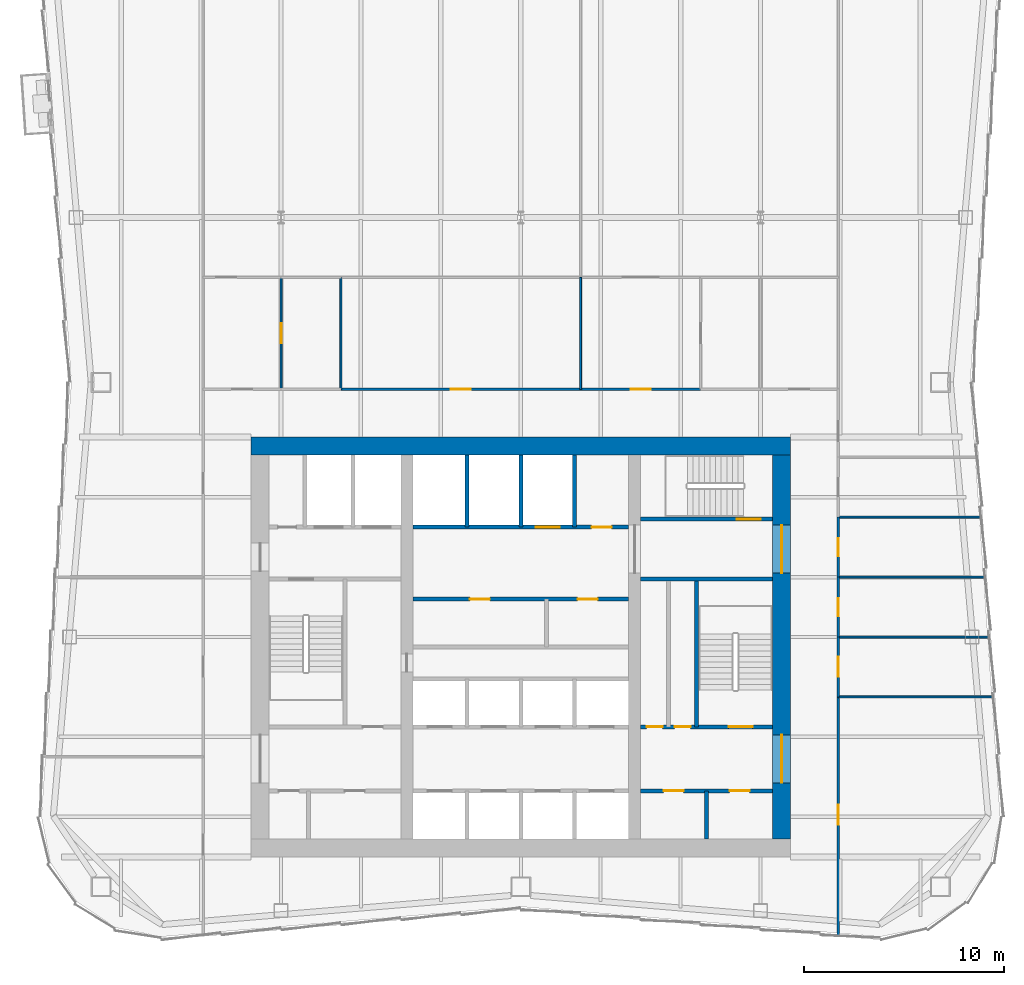
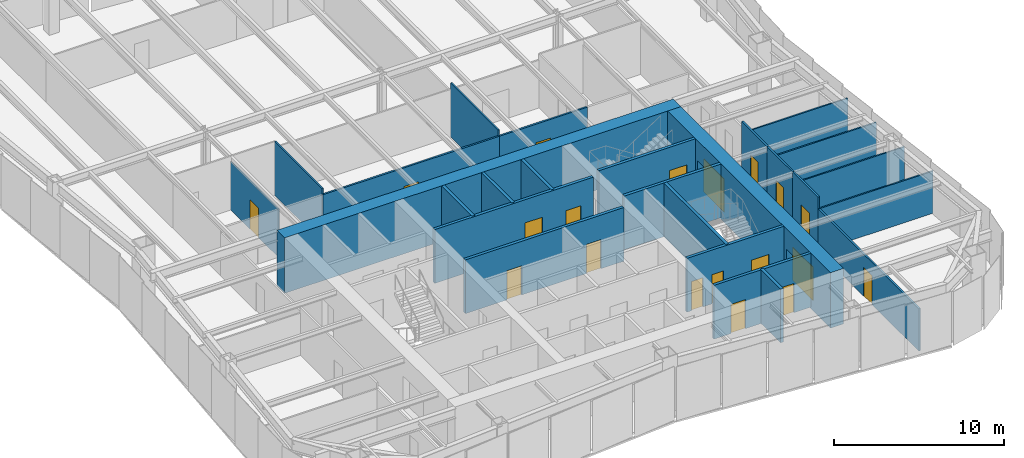
# One storey, part 6 of 10: 26 walls, 19 doors, 19 openings.
"""IFC4 building model written with IfcOpenShell, lengths in metres."""

from ifc_helpers import new_model, si_unit, direction, frame, frame_2d, origin, place, context, subcontext, project, spatial, rectangle, extrude, material, layer, layer_set, type_object, element, fill, save


model = new_model("IFC4")

# Units and contexts
model_context = context("Model", 3, precision=1e-05, world=origin(), true_north=direction((0.0, 1.0)))
body_context = subcontext(model_context, "Body", "Model", "MODEL_VIEW")
ifc_project = project(units=[si_unit("LENGTHUNIT", "METRE"), si_unit("AREAUNIT", "SQUARE_METRE"), si_unit("VOLUMEUNIT", "CUBIC_METRE"), si_unit("PLANEANGLEUNIT", "RADIAN"), si_unit("MASSUNIT", "GRAM", prefix="KILO")], contexts=[model_context])

# Site, building, storey
site_placement = place(None, origin())
site = spatial("IfcSite", under=ifc_project, at=site_placement, CompositionType="ELEMENT")
building_placement = place(site_placement, origin())
building = spatial("IfcBuilding", under=site, at=building_placement, Name="Verdant Reach Tower", CompositionType="ELEMENT")
storey_placement = place(building_placement, frame((0.0, 0.0, 214.0)))
storey = spatial("IfcBuildingStorey", under=building, at=storey_placement, Name="L49", CompositionType="ELEMENT", Elevation=214.0)

# Wall, openings, doors
ifc_material_1 = material(Name="Gypsum board on steel studs", Category="steel")
ifc_layer_1 = layer(ifc_material_1, 0.199951171875)
ifc_layer_set_1 = layer_set([ifc_layer_1], Name="CO-WALL-ROOM")
wall_type_1 = type_object("IfcWallType", Name="CO-WALL-ROOM", PredefinedType="PARTITIONING", material=ifc_layer_set_1)
wall_1_placement = place(storey_placement, frame((6.0, 20.800048828125, 0.0), z_axis=(0.0, 0.0, 1.0), x_axis=(1.0, 0.0, 0.0)))
wall_1 = element("IfcWall", 1, at=wall_1_placement, inside=storey, type_object=wall_type_1, Name="Core partition, L49", PredefinedType="PARTITIONING", context=body_context, shape_type="SweptSolid", body=[
    extrude(rectangle(XDim=6.60009765625, YDim=0.199951171875, at=frame_2d((3.300048828125, 0.0))), origin(), (0.0, 0.0, 1.0), 3.8701171875),
])
opening_1_placement = place(wall_1_placement, frame((1.14990234375, 0.0, 0.0)))
opening_1 = element("IfcOpeningElement", 2, at=opening_1_placement, cuts=wall_1, Name="Opening CD", PredefinedType="OPENING", context=body_context, shape_type="SweptSolid", body=[
    extrude(rectangle(XDim=1.0, YDim=2.10009765625, at=frame_2d((0.5, 1.050048828125))), frame((0.0, 0.10986328125, 0.0), z_axis=(0.0, -1.0, 0.0), x_axis=(1.0, 0.0, 0.0)), (0.0, 0.0, 1.0), 0.219970703125),
])
opening_2_placement = place(wall_1_placement, frame((4.449951171875, 0.0, 0.0)))
opening_2 = element("IfcOpeningElement", 3, at=opening_2_placement, cuts=wall_1, Name="Opening CD", PredefinedType="OPENING", context=body_context, shape_type="SweptSolid", body=[
    extrude(rectangle(XDim=1.0, YDim=2.10009765625, at=frame_2d((0.5, 1.050048828125))), frame((0.0, 0.10986328125, 0.0), z_axis=(0.0, -1.0, 0.0), x_axis=(1.0, 0.0, 0.0)), (0.0, 0.0, 1.0), 0.219970703125),
])
ifc_material_2 = material(Name="Timber", Category="wood")
door_type_1 = type_object("IfcDoorType", Name="CO-DOOR-ROOM", OperationType="NOTDEFINED", PredefinedType="DOOR", material=ifc_material_2)
door_1_placement = place(opening_1_placement, origin())
door_1 = element("IfcDoor", 4, at=door_1_placement, inside=storey, type_object=door_type_1, Name="Core room door, L49", OperationType="SINGLE_SWING_LEFT", OverallHeight=2.10009765625, OverallWidth=1.0, PredefinedType="DOOR", context=body_context, shape_type="SweptSolid", body=[
    extrude(rectangle(XDim=1.0, YDim=2.10009765625, at=frame_2d((0.5, 1.050048828125))), frame((0.0, 0.02490234375, 0.0), z_axis=(0.0, -1.0, 0.0), x_axis=(1.0, 0.0, 0.0)), (0.0, 0.0, 1.0), 0.050048828125),
])
fill(opening_1, door_1)
door_2_placement = place(opening_2_placement, origin())
door_2 = element("IfcDoor", 5, at=door_2_placement, inside=storey, type_object=door_type_1, Name="Core room door, L49", OperationType="SINGLE_SWING_LEFT", OverallHeight=2.10009765625, OverallWidth=1.0, PredefinedType="DOOR", context=body_context, shape_type="SweptSolid", body=[
    extrude(rectangle(XDim=1.0, YDim=2.10009765625, at=frame_2d((0.5, 1.050048828125))), frame((0.0, 0.02490234375, 0.0), z_axis=(0.0, -1.0, 0.0), x_axis=(1.0, 0.0, 0.0)), (0.0, 0.0, 1.0), 0.050048828125),
])
fill(opening_2, door_2)

wall_2_placement = place(storey_placement, frame((-5.39990234375, 30.39990234375, 0.0), z_axis=(0.0, 0.0, 1.0), x_axis=(1.0, 0.0, 0.0)))
wall_2 = element("IfcWall", 6, at=wall_2_placement, inside=storey, type_object=wall_type_1, Name="Core partition, L49", PredefinedType="PARTITIONING", context=body_context, shape_type="SweptSolid", body=[
    extrude(rectangle(XDim=10.7998046875, YDim=0.199951171875, at=frame_2d((5.39990234375, 0.0))), origin(), (0.0, 0.0, 1.0), 3.8701171875),
])
opening_3_placement = place(wall_2_placement, frame((2.847900390625, 0.0, 0.0)))
opening_3 = element("IfcOpeningElement", 7, at=opening_3_placement, cuts=wall_2, Name="Opening CD", PredefinedType="OPENING", context=body_context, shape_type="SweptSolid", body=[
    extrude(rectangle(XDim=1.0, YDim=2.10009765625, at=frame_2d((0.5, 1.050048828125))), frame((0.0, 0.10986328125, 0.0), z_axis=(0.0, -1.0, 0.0), x_axis=(1.0, 0.0, 0.0)), (0.0, 0.0, 1.0), 0.219970703125),
])
opening_4_placement = place(wall_2_placement, frame((8.248046875, 0.0, 0.0)))
opening_4 = element("IfcOpeningElement", 8, at=opening_4_placement, cuts=wall_2, Name="Opening CD", PredefinedType="OPENING", context=body_context, shape_type="SweptSolid", body=[
    extrude(rectangle(XDim=1.0, YDim=2.10009765625, at=frame_2d((0.5, 1.050048828125))), frame((0.0, 0.10986328125, 0.0), z_axis=(0.0, -1.0, 0.0), x_axis=(1.0, 0.0, 0.0)), (0.0, 0.0, 1.0), 0.219970703125),
])
door_3_placement = place(opening_3_placement, origin())
door_3 = element("IfcDoor", 9, at=door_3_placement, inside=storey, type_object=door_type_1, Name="Core room door, L49", OperationType="SINGLE_SWING_LEFT", OverallHeight=2.10009765625, OverallWidth=1.0, PredefinedType="DOOR", context=body_context, shape_type="SweptSolid", body=[
    extrude(rectangle(XDim=1.0, YDim=2.10009765625, at=frame_2d((0.5, 1.050048828125))), frame((0.0, 0.02490234375, 0.0), z_axis=(0.0, -1.0, 0.0), x_axis=(1.0, 0.0, 0.0)), (0.0, 0.0, 1.0), 0.050048828125),
])
fill(opening_3, door_3)
door_4_placement = place(opening_4_placement, origin())
door_4 = element("IfcDoor", 10, at=door_4_placement, inside=storey, type_object=door_type_1, Name="Core room door, L49", OperationType="SINGLE_SWING_RIGHT", OverallHeight=2.10009765625, OverallWidth=1.0, PredefinedType="DOOR", context=body_context, shape_type="SweptSolid", body=[
    extrude(rectangle(XDim=1.0, YDim=2.10009765625, at=frame_2d((0.5, 1.050048828125))), frame((0.0, 0.02490234375, 0.0), z_axis=(0.0, -1.0, 0.0), x_axis=(1.0, 0.0, 0.0)), (0.0, 0.0, 1.0), 0.050048828125),
])
fill(opening_4, door_4)

# Wall
wall_3_placement = place(storey_placement, frame((9.300048828125, 18.39990234375, 0.0), z_axis=(0.0, 0.0, 1.0), x_axis=(0.0, 1.0, 0.0)))
element("IfcWall", 11, at=wall_3_placement, inside=storey, type_object=wall_type_1, Name="Core partition, L49", PredefinedType="PARTITIONING", context=body_context, shape_type="SweptSolid", body=[
    extrude(rectangle(XDim=2.400146484375, YDim=0.199951171875, at=frame_2d((1.2001953125, 0.0))), origin(), (0.0, 0.0, 1.0), 3.8701171875),
])

# Wall, openings, doors
ifc_material_3 = material(Name="Concrete C40/50", Category="concrete")
ifc_layer_2 = layer(ifc_material_3, 0.199951171875)
ifc_layer_set_2 = layer_set([ifc_layer_2], Name="CO-WALL-SHAFT")
wall_type_2 = type_object("IfcWallType", Name="CO-WALL-SHAFT", PredefinedType="PARTITIONING", material=ifc_layer_set_2)
wall_4_placement = place(storey_placement, frame((-5.39990234375, 34.0, 0.0), z_axis=(0.0, 0.0, 1.0), x_axis=(1.0, 0.0, 0.0)))
wall_4 = element("IfcWall", 12, at=wall_4_placement, inside=storey, type_object=wall_type_2, Name="Lift shaft wall, L49", PredefinedType="PARTITIONING", context=body_context, shape_type="SweptSolid", body=[
    extrude(rectangle(XDim=10.7998046875, YDim=0.199951171875, at=frame_2d((5.39990234375, 0.0))), origin(), (0.0, 0.0, 1.0), 3.8701171875),
])
opening_5_placement = place(wall_4_placement, frame((6.14990234375, 0.0, 0.0)))
opening_5 = element("IfcOpeningElement", 13, at=opening_5_placement, cuts=wall_4, Name="Opening LD-SL1", PredefinedType="OPENING", context=body_context, shape_type="SweptSolid", body=[
    extrude(rectangle(XDim=1.199951171875, YDim=2.199951171875, at=frame_2d((0.60009765625, 1.10009765625))), frame((0.0, 0.10986328125, 0.0), z_axis=(0.0, -1.0, 0.0), x_axis=(1.0, 0.0, 0.0)), (0.0, 0.0, 1.0), 0.219970703125),
])
opening_6_placement = place(wall_4_placement, frame((8.949951171875, 0.0, 0.0)))
opening_6 = element("IfcOpeningElement", 14, at=opening_6_placement, cuts=wall_4, Name="Opening CD", PredefinedType="OPENING", context=body_context, shape_type="SweptSolid", body=[
    extrude(rectangle(XDim=1.0, YDim=2.10009765625, at=frame_2d((0.5, 1.050048828125))), frame((0.0, 0.10986328125, 0.0), z_axis=(0.0, -1.0, 0.0), x_axis=(1.0, 0.0, 0.0)), (0.0, 0.0, 1.0), 0.219970703125),
])
ifc_material_4 = material(Name="Stainless steel", Category="steel")
door_type_2 = type_object("IfcDoorType", Name="CO-DOOR-LANDING", OperationType="SLIDING_TO_LEFT", PredefinedType="DOOR", material=ifc_material_4)
door_5_placement = place(opening_5_placement, origin())
door_5 = element("IfcDoor", 15, at=door_5_placement, inside=storey, type_object=door_type_2, Name="Landing door SL1, L49", OperationType="SLIDING_TO_LEFT", OverallHeight=2.199951171875, OverallWidth=1.199951171875, PredefinedType="DOOR", context=body_context, shape_type="SweptSolid", body=[
    extrude(rectangle(XDim=1.199951171875, YDim=2.199951171875, at=frame_2d((0.60009765625, 1.10009765625))), frame((0.0, 0.02490234375, 0.0), z_axis=(0.0, -1.0, 0.0), x_axis=(1.0, 0.0, 0.0)), (0.0, 0.0, 1.0), 0.050048828125),
])
fill(opening_5, door_5)
door_6_placement = place(opening_6_placement, origin())
door_6 = element("IfcDoor", 16, at=door_6_placement, inside=storey, type_object=door_type_1, Name="Core room door, L49", OperationType="SINGLE_SWING_LEFT", OverallHeight=2.10009765625, OverallWidth=1.0, PredefinedType="DOOR", context=body_context, shape_type="SweptSolid", body=[
    extrude(rectangle(XDim=1.0, YDim=2.10009765625, at=frame_2d((0.5, 1.050048828125))), frame((0.0, 0.02490234375, 0.0), z_axis=(0.0, -1.0, 0.0), x_axis=(1.0, 0.0, 0.0)), (0.0, 0.0, 1.0), 0.050048828125),
])
fill(opening_6, door_6)

# Walls
for number, where, z_axis, x_axis, name in (
    (17, (-2.699951171875, 34.0, 0.0), (0.0, 0.0, 1.0), (0.0, 1.0, 0.0), "Lift shaft wall, L49"),
    (18, (0.0, 34.0, 0.0), (0.0, 0.0, 1.0), (0.0, 1.0, 0.0), "Lift shaft wall, L49"),
    (19, (2.699951171875, 34.0, 0.0), (0.0, 0.0, 1.0), (0.0, 1.0, 0.0), "Lift shaft wall, L49"),
):
    element("IfcWall", number, at=place(storey_placement, frame(where, z_axis=z_axis, x_axis=x_axis)), inside=storey, type_object=wall_type_2, Name=name, PredefinedType="PARTITIONING", context=body_context, shape_type="SweptSolid", body=[
        extrude(rectangle(XDim=3.60009765625, YDim=0.199951171875, at=frame_2d((1.800048828125, 0.0))), origin(), (0.0, 0.0, 1.0), 3.8701171875),
    ])

# Wall, openings, doors
ifc_layer_3 = layer(ifc_material_3, 0.199951171875)
ifc_layer_set_3 = layer_set([ifc_layer_3], Name="CO-WALL-STAIR")
wall_type_3 = type_object("IfcWallType", Name="CO-WALL-STAIR", PredefinedType="PARTITIONING", material=ifc_layer_set_3)
wall_5_placement = place(storey_placement, frame((6.0, 24.0, 0.0), z_axis=(0.0, 0.0, 1.0), x_axis=(1.0, 0.0, 0.0)))
wall_5 = element("IfcWall", 20, at=wall_5_placement, inside=storey, type_object=wall_type_3, Name="Stair enclosure wall, L49", PredefinedType="PARTITIONING", context=body_context, shape_type="SweptSolid", body=[
    extrude(rectangle(XDim=6.60009765625, YDim=0.199951171875, at=frame_2d((3.300048828125, 0.0))), origin(), (0.0, 0.0, 1.0), 3.8701171875),
])
opening_7_placement = place(wall_5_placement, frame((0.300048828125, 0.0, 0.0)))
opening_7 = element("IfcOpeningElement", 21, at=opening_7_placement, cuts=wall_5, Name="Opening CDN", PredefinedType="OPENING", context=body_context, shape_type="SweptSolid", body=[
    extrude(rectangle(XDim=0.800048828125, YDim=2.10009765625, at=frame_2d((0.39990234375, 1.050048828125))), frame((0.0, 0.10986328125, 0.0), z_axis=(0.0, -1.0, 0.0), x_axis=(1.0, 0.0, 0.0)), (0.0, 0.0, 1.0), 0.219970703125),
])
opening_8_placement = place(wall_5_placement, frame((1.699951171875, 0.0, 0.0)))
opening_8 = element("IfcOpeningElement", 22, at=opening_8_placement, cuts=wall_5, Name="Opening CDN", PredefinedType="OPENING", context=body_context, shape_type="SweptSolid", body=[
    extrude(rectangle(XDim=0.800048828125, YDim=2.10009765625, at=frame_2d((0.39990234375, 1.050048828125))), frame((0.0, 0.10986328125, 0.0), z_axis=(0.0, -1.0, 0.0), x_axis=(1.0, 0.0, 0.0)), (0.0, 0.0, 1.0), 0.219970703125),
])
opening_9_placement = place(wall_5_placement, frame((4.39990234375, 0.0, 0.0)))
opening_9 = element("IfcOpeningElement", 23, at=opening_9_placement, cuts=wall_5, Name="Opening SD", PredefinedType="OPENING", context=body_context, shape_type="SweptSolid", body=[
    extrude(rectangle(XDim=1.199951171875, YDim=2.199951171875, at=frame_2d((0.60009765625, 1.10009765625))), frame((0.0, 0.10986328125, 0.0), z_axis=(0.0, -1.0, 0.0), x_axis=(1.0, 0.0, 0.0)), (0.0, 0.0, 1.0), 0.219970703125),
])
door_type_3 = type_object("IfcDoorType", Name="CO-DOOR-ROOM-NARROW", OperationType="NOTDEFINED", PredefinedType="DOOR", material=ifc_material_2)
door_7_placement = place(opening_7_placement, origin())
door_7 = element("IfcDoor", 24, at=door_7_placement, inside=storey, type_object=door_type_3, Name="Core room door, L49", OperationType="SINGLE_SWING_RIGHT", OverallHeight=2.10009765625, OverallWidth=0.800048828125, PredefinedType="DOOR", context=body_context, shape_type="SweptSolid", body=[
    extrude(rectangle(XDim=0.800048828125, YDim=2.10009765625, at=frame_2d((0.39990234375, 1.050048828125))), frame((0.0, 0.02490234375, 0.0), z_axis=(0.0, -1.0, 0.0), x_axis=(1.0, 0.0, 0.0)), (0.0, 0.0, 1.0), 0.050048828125),
])
fill(opening_7, door_7)
door_8_placement = place(opening_8_placement, origin())
door_8 = element("IfcDoor", 25, at=door_8_placement, inside=storey, type_object=door_type_3, Name="Core room door, L49", OperationType="SINGLE_SWING_LEFT", OverallHeight=2.10009765625, OverallWidth=0.800048828125, PredefinedType="DOOR", context=body_context, shape_type="SweptSolid", body=[
    extrude(rectangle(XDim=0.800048828125, YDim=2.10009765625, at=frame_2d((0.39990234375, 1.050048828125))), frame((0.0, 0.02490234375, 0.0), z_axis=(0.0, -1.0, 0.0), x_axis=(1.0, 0.0, 0.0)), (0.0, 0.0, 1.0), 0.050048828125),
])
fill(opening_8, door_8)
ifc_material_5 = material(Name="Steel", Category="steel")
door_type_4 = type_object("IfcDoorType", Name="CO-DOOR-STAIR", OperationType="NOTDEFINED", PredefinedType="DOOR", material=ifc_material_5)
door_9_placement = place(opening_9_placement, origin())
door_9 = element("IfcDoor", 26, at=door_9_placement, inside=storey, type_object=door_type_4, Name="Stair door, L49", OperationType="SINGLE_SWING_RIGHT", OverallHeight=2.199951171875, OverallWidth=1.199951171875, PredefinedType="DOOR", context=body_context, shape_type="SweptSolid", body=[
    extrude(rectangle(XDim=1.199951171875, YDim=2.199951171875, at=frame_2d((0.60009765625, 1.10009765625))), frame((0.0, 0.02490234375, 0.0), z_axis=(0.0, -1.0, 0.0), x_axis=(1.0, 0.0, 0.0)), (0.0, 0.0, 1.0), 0.050048828125),
])
fill(opening_9, door_9)

# Wall
wall_6_placement = place(storey_placement, frame((6.0, 31.39990234375, 0.0), z_axis=(0.0, 0.0, 1.0), x_axis=(1.0, 0.0, 0.0)))
element("IfcWall", 27, at=wall_6_placement, inside=storey, type_object=wall_type_3, Name="Stair enclosure wall, L49", PredefinedType="PARTITIONING", context=body_context, shape_type="SweptSolid", body=[
    extrude(rectangle(XDim=6.60009765625, YDim=0.199951171875, at=frame_2d((3.300048828125, 0.0))), origin(), (0.0, 0.0, 1.0), 3.8701171875),
])

# Wall, opening, door
wall_7_placement = place(storey_placement, frame((6.0, 34.39990234375, 0.0), z_axis=(0.0, 0.0, 1.0), x_axis=(1.0, 0.0, 0.0)))
wall_7 = element("IfcWall", 28, at=wall_7_placement, inside=storey, type_object=wall_type_3, Name="Stair enclosure wall, L49", PredefinedType="PARTITIONING", context=body_context, shape_type="SweptSolid", body=[
    extrude(rectangle(XDim=6.60009765625, YDim=0.199951171875, at=frame_2d((3.300048828125, 0.0))), origin(), (0.0, 0.0, 1.0), 3.8701171875),
])
opening_10_placement = place(wall_7_placement, frame((4.800048828125, 0.0, 0.0)))
opening_10 = element("IfcOpeningElement", 29, at=opening_10_placement, cuts=wall_7, Name="Opening SD", PredefinedType="OPENING", context=body_context, shape_type="SweptSolid", body=[
    extrude(rectangle(XDim=1.199951171875, YDim=2.199951171875, at=frame_2d((0.60009765625, 1.10009765625))), frame((0.0, 0.10986328125, 0.0), z_axis=(0.0, -1.0, 0.0), x_axis=(1.0, 0.0, 0.0)), (0.0, 0.0, 1.0), 0.219970703125),
])
door_10_placement = place(opening_10_placement, origin())
door_10 = element("IfcDoor", 30, at=door_10_placement, inside=storey, type_object=door_type_4, Name="Stair door, L49", OperationType="SINGLE_SWING_LEFT", OverallHeight=2.199951171875, OverallWidth=1.199951171875, PredefinedType="DOOR", context=body_context, shape_type="SweptSolid", body=[
    extrude(rectangle(XDim=1.199951171875, YDim=2.199951171875, at=frame_2d((0.60009765625, 1.10009765625))), frame((0.0, 0.02490234375, 0.0), z_axis=(0.0, -1.0, 0.0), x_axis=(1.0, 0.0, 0.0)), (0.0, 0.0, 1.0), 0.050048828125),
])
fill(opening_10, door_10)

# Wall
wall_8_placement = place(storey_placement, frame((8.800048828125, 24.0, 0.0), z_axis=(0.0, 0.0, 1.0), x_axis=(0.0, 1.0, 0.0)))
element("IfcWall", 31, at=wall_8_placement, inside=storey, type_object=wall_type_3, Name="Stair enclosure wall, L49", PredefinedType="PARTITIONING", context=body_context, shape_type="SweptSolid", body=[
    extrude(rectangle(XDim=7.39990234375, YDim=0.199951171875, at=frame_2d((3.699951171875, 0.0))), origin(), (0.0, 0.0, 1.0), 3.8701171875),
])

# Wall, opening, door
ifc_layer_4 = layer(ifc_material_1, 0.10009765625)
ifc_layer_set_4 = layer_set([ifc_layer_4], Name="FL-W1 Partition 100")
wall_type_4 = type_object("IfcWallType", Name="FL-W1 Partition 100", PredefinedType="PARTITIONING", material=ifc_layer_set_4)
wall_9_placement = place(storey_placement, frame((-12.0, 46.5, 0.0), z_axis=(0.0, 0.0, 1.0), x_axis=(0.0, -1.0, 0.0)))
wall_9 = element("IfcWall", 32, at=wall_9_placement, inside=storey, type_object=wall_type_4, Name="Partition 49.16", PredefinedType="PARTITIONING", context=body_context, shape_type="SweptSolid", body=[
    extrude(rectangle(XDim=5.60009765625, YDim=0.10009765625, at=frame_2d((2.800048828125, 0.0))), origin(), (0.0, 0.0, 1.0), 3.43994140625),
])
opening_11_placement = place(wall_9_placement, frame((2.300048828125, 0.0, 0.0)))
opening_11 = element("IfcOpeningElement", 33, at=opening_11_placement, cuts=wall_9, Name="Opening D3", PredefinedType="OPENING", context=body_context, shape_type="SweptSolid", body=[
    extrude(rectangle(XDim=1.0, YDim=2.10009765625, at=frame_2d((0.5, 1.050048828125))), frame((0.0, 0.06005859375, 0.0), z_axis=(0.0, -1.0, 0.0), x_axis=(1.0, 0.0, 0.0)), (0.0, 0.0, 1.0), 0.1201171875),
])
ifc_material_6 = material(Name="Painted timber door leaf", Category="wood")
door_type_5 = type_object("IfcDoorType", Name="FL-D3 Door 1000x2100", OperationType="NOTDEFINED", PredefinedType="DOOR", material=ifc_material_6)
door_11_placement = place(opening_11_placement, origin())
door_11 = element("IfcDoor", 34, at=door_11_placement, inside=storey, type_object=door_type_5, Name="Door 49-014", OperationType="SINGLE_SWING_RIGHT", OverallHeight=2.10009765625, OverallWidth=1.0, PredefinedType="DOOR", context=body_context, shape_type="SweptSolid", body=[
    extrude(rectangle(XDim=1.0, YDim=2.10009765625, at=frame_2d((0.5, 1.050048828125))), frame((0.0, 0.02490234375, 0.0), z_axis=(0.0, -1.0, 0.0), x_axis=(1.0, 0.0, 0.0)), (0.0, 0.0, 1.0), 0.050048828125),
])
fill(opening_11, door_11)

# Walls
for number, where, z_axis, x_axis, name in (
    (35, (-9.0, 40.89990234375, 0.0), (0.0, 0.0, 1.0), (0.0, 1.0, 0.0), "Partition 49.19"),
    (36, (3.0, 40.89990234375, 0.0), (0.0, 0.0, 1.0), (0.0, 1.0, 0.0), "Partition 49.22"),
):
    element("IfcWall", number, at=place(storey_placement, frame(where, z_axis=z_axis, x_axis=x_axis)), inside=storey, type_object=wall_type_4, Name=name, PredefinedType="PARTITIONING", context=body_context, shape_type="SweptSolid", body=[
        extrude(rectangle(XDim=5.60009765625, YDim=0.10009765625, at=frame_2d((2.800048828125, 0.0))), origin(), (0.0, 0.0, 1.0), 3.8701171875),
    ])
wall_10_placement = place(storey_placement, frame((23.666259765625, 25.5, 0.0), z_axis=(0.0, 0.0, 1.0), x_axis=(-1.0, 0.0, 0.0)))
element("IfcWall", 37, at=wall_10_placement, inside=storey, type_object=wall_type_4, Name="Partition 49.42", PredefinedType="PARTITIONING", context=body_context, shape_type="SweptSolid", body=[
    extrude(rectangle(XDim=7.766357421875, YDim=0.10009765625, at=frame_2d((3.88330078125, 0.0))), origin(), (0.0, 0.0, 1.0), 3.0400390625),
])
wall_11_placement = place(storey_placement, frame((23.459228515625, 28.5, 0.0), z_axis=(0.0, 0.0, 1.0), x_axis=(-1.0, 0.0, 0.0)))
element("IfcWall", 38, at=wall_11_placement, inside=storey, type_object=wall_type_4, Name="Partition 49.43", PredefinedType="PARTITIONING", context=body_context, shape_type="SweptSolid", body=[
    extrude(rectangle(XDim=7.559326171875, YDim=0.10009765625, at=frame_2d((3.77978515625, 0.0))), origin(), (0.0, 0.0, 1.0), 3.0400390625),
])
wall_12_placement = place(storey_placement, frame((23.25244140625, 31.5, 0.0), z_axis=(0.0, 0.0, 1.0), x_axis=(-1.0, 0.0, 0.0)))
element("IfcWall", 39, at=wall_12_placement, inside=storey, type_object=wall_type_4, Name="Partition 49.44", PredefinedType="PARTITIONING", context=body_context, shape_type="SweptSolid", body=[
    extrude(rectangle(XDim=7.3525390625, YDim=0.10009765625, at=frame_2d((3.67626953125, 0.0))), origin(), (0.0, 0.0, 1.0), 3.0400390625),
])
wall_13_placement = place(storey_placement, frame((23.04541015625, 34.5, 0.0), z_axis=(0.0, 0.0, 1.0), x_axis=(-1.0, 0.0, 0.0)))
element("IfcWall", 40, at=wall_13_placement, inside=storey, type_object=wall_type_4, Name="Partition 49.45", PredefinedType="PARTITIONING", context=body_context, shape_type="SweptSolid", body=[
    extrude(rectangle(XDim=7.1455078125, YDim=0.10009765625, at=frame_2d((3.57275390625, 0.0))), origin(), (0.0, 0.0, 1.0), 3.0400390625),
])

# Wall, opening, door
ifc_material_7 = material(Name="Gypsum board on steel studs, fire rated", Category="steel")
ifc_layer_5 = layer(ifc_material_7, 0.125)
ifc_layer_set_5 = layer_set([ifc_layer_5], Name="FL-W2 Corridor wall 125")
wall_type_5 = type_object("IfcWallType", Name="FL-W2 Corridor wall 125", PredefinedType="PARTITIONING", material=ifc_layer_set_5)
wall_14_placement = place(storey_placement, frame((-9.0, 40.89990234375, 0.0), z_axis=(0.0, 0.0, 1.0), x_axis=(1.0, 0.0, 0.0)))
wall_14 = element("IfcWall", 41, at=wall_14_placement, inside=storey, type_object=wall_type_5, Name="Partition 49.03", PredefinedType="PARTITIONING", context=body_context, shape_type="SweptSolid", body=[
    extrude(rectangle(XDim=12.0, YDim=0.125, at=frame_2d((6.0, 0.0))), origin(), (0.0, 0.0, 1.0), 3.43994140625),
])
opening_12_placement = place(wall_14_placement, frame((5.5, 0.0, 0.0)))
opening_12 = element("IfcOpeningElement", 42, at=opening_12_placement, cuts=wall_14, Name="Opening D2", PredefinedType="OPENING", context=body_context, shape_type="SweptSolid", body=[
    extrude(rectangle(XDim=1.0, YDim=2.10009765625, at=frame_2d((0.5, 1.050048828125))), frame((0.0, 0.072509765625, 0.0), z_axis=(0.0, -1.0, 0.0), x_axis=(1.0, 0.0, 0.0)), (0.0, 0.0, 1.0), 0.14501953125),
])
ifc_material_8 = material(Name="Timber door leaf, fire rated", Category="wood")
door_type_6 = type_object("IfcDoorType", Name="FL-D2 Entrance door 1000x2100 FD30", OperationType="NOTDEFINED", PredefinedType="DOOR", material=ifc_material_8)
door_12_placement = place(opening_12_placement, origin())
door_12 = element("IfcDoor", 43, at=door_12_placement, inside=storey, type_object=door_type_6, Name="Door 49-002", OperationType="SINGLE_SWING_RIGHT", OverallHeight=2.10009765625, OverallWidth=1.0, PredefinedType="DOOR", context=body_context, shape_type="SweptSolid", body=[
    extrude(rectangle(XDim=1.0, YDim=2.10009765625, at=frame_2d((0.5, 1.050048828125))), frame((0.0, 0.02490234375, 0.0), z_axis=(0.0, -1.0, 0.0), x_axis=(1.0, 0.0, 0.0)), (0.0, 0.0, 1.0), 0.050048828125),
])
fill(opening_12, door_12)

wall_15_placement = place(storey_placement, frame((3.0, 40.89990234375, 0.0), z_axis=(0.0, 0.0, 1.0), x_axis=(1.0, 0.0, 0.0)))
wall_15 = element("IfcWall", 44, at=wall_15_placement, inside=storey, type_object=wall_type_5, Name="Partition 49.04", PredefinedType="PARTITIONING", context=body_context, shape_type="SweptSolid", body=[
    extrude(rectangle(XDim=6.0, YDim=0.125, at=frame_2d((3.0, 0.0))), origin(), (0.0, 0.0, 1.0), 3.43994140625),
])
opening_13_placement = place(wall_15_placement, frame((2.5, 0.0, 0.0)))
opening_13 = element("IfcOpeningElement", 45, at=opening_13_placement, cuts=wall_15, Name="Opening D2", PredefinedType="OPENING", context=body_context, shape_type="SweptSolid", body=[
    extrude(rectangle(XDim=1.0, YDim=2.10009765625, at=frame_2d((0.5, 1.050048828125))), frame((0.0, 0.072509765625, 0.0), z_axis=(0.0, -1.0, 0.0), x_axis=(1.0, 0.0, 0.0)), (0.0, 0.0, 1.0), 0.14501953125),
])
door_13_placement = place(opening_13_placement, origin())
door_13 = element("IfcDoor", 46, at=door_13_placement, inside=storey, type_object=door_type_6, Name="Door 49-003", OperationType="SINGLE_SWING_LEFT", OverallHeight=2.10009765625, OverallWidth=1.0, PredefinedType="DOOR", context=body_context, shape_type="SweptSolid", body=[
    extrude(rectangle(XDim=1.0, YDim=2.10009765625, at=frame_2d((0.5, 1.050048828125))), frame((0.0, 0.02490234375, 0.0), z_axis=(0.0, -1.0, 0.0), x_axis=(1.0, 0.0, 0.0)), (0.0, 0.0, 1.0), 0.050048828125),
])
fill(opening_13, door_13)

wall_16_placement = place(storey_placement, frame((15.89990234375, 25.5, 0.0), z_axis=(0.0, 0.0, 1.0), x_axis=(0.0, -1.0, 0.0)))
wall_16 = element("IfcWall", 47, at=wall_16_placement, inside=storey, type_object=wall_type_5, Name="Partition 49.10", PredefinedType="PARTITIONING", context=body_context, shape_type="SweptSolid", body=[
    extrude(rectangle(XDim=11.905029296875, YDim=0.125, at=frame_2d((5.95263671875, 0.0))), origin(), (0.0, 0.0, 1.0), 3.0400390625),
])
opening_14_placement = place(wall_16_placement, frame((5.387451171875, 0.0, 0.0)))
opening_14 = element("IfcOpeningElement", 48, at=opening_14_placement, cuts=wall_16, Name="Opening D2", PredefinedType="OPENING", context=body_context, shape_type="SweptSolid", body=[
    extrude(rectangle(XDim=1.0, YDim=2.10009765625, at=frame_2d((0.5, 1.050048828125))), frame((0.0, 0.072509765625, 0.0), z_axis=(0.0, -1.0, 0.0), x_axis=(1.0, 0.0, 0.0)), (0.0, 0.0, 1.0), 0.14501953125),
])
door_14_placement = place(opening_14_placement, origin())
door_14 = element("IfcDoor", 49, at=door_14_placement, inside=storey, type_object=door_type_6, Name="Door 49-008", OperationType="SINGLE_SWING_LEFT", OverallHeight=2.10009765625, OverallWidth=1.0, PredefinedType="DOOR", context=body_context, shape_type="SweptSolid", body=[
    extrude(rectangle(XDim=1.0, YDim=2.10009765625, at=frame_2d((0.5, 1.050048828125))), frame((0.0, 0.02490234375, 0.0), z_axis=(0.0, -1.0, 0.0), x_axis=(1.0, 0.0, 0.0)), (0.0, 0.0, 1.0), 0.050048828125),
])
fill(opening_14, door_14)

wall_17_placement = place(storey_placement, frame((15.89990234375, 28.5, 0.0), z_axis=(0.0, 0.0, 1.0), x_axis=(0.0, -1.0, 0.0)))
wall_17 = element("IfcWall", 50, at=wall_17_placement, inside=storey, type_object=wall_type_5, Name="Partition 49.11", PredefinedType="PARTITIONING", context=body_context, shape_type="SweptSolid", body=[
    extrude(rectangle(XDim=3.0, YDim=0.125, at=frame_2d((1.5, 0.0))), origin(), (0.0, 0.0, 1.0), 3.8701171875),
])
opening_15_placement = place(wall_17_placement, frame((1.0, 0.0, 0.0)))
opening_15 = element("IfcOpeningElement", 51, at=opening_15_placement, cuts=wall_17, Name="Opening D2", PredefinedType="OPENING", context=body_context, shape_type="SweptSolid", body=[
    extrude(rectangle(XDim=1.0, YDim=2.10009765625, at=frame_2d((0.5, 1.050048828125))), frame((0.0, 0.072509765625, 0.0), z_axis=(0.0, -1.0, 0.0), x_axis=(1.0, 0.0, 0.0)), (0.0, 0.0, 1.0), 0.14501953125),
])
door_15_placement = place(opening_15_placement, origin())
door_15 = element("IfcDoor", 52, at=door_15_placement, inside=storey, type_object=door_type_6, Name="Door 49-009", OperationType="SINGLE_SWING_LEFT", OverallHeight=2.10009765625, OverallWidth=1.0, PredefinedType="DOOR", context=body_context, shape_type="SweptSolid", body=[
    extrude(rectangle(XDim=1.0, YDim=2.10009765625, at=frame_2d((0.5, 1.050048828125))), frame((0.0, 0.02490234375, 0.0), z_axis=(0.0, -1.0, 0.0), x_axis=(1.0, 0.0, 0.0)), (0.0, 0.0, 1.0), 0.050048828125),
])
fill(opening_15, door_15)

wall_18_placement = place(storey_placement, frame((15.89990234375, 31.5, 0.0), z_axis=(0.0, 0.0, 1.0), x_axis=(0.0, -1.0, 0.0)))
wall_18 = element("IfcWall", 53, at=wall_18_placement, inside=storey, type_object=wall_type_5, Name="Partition 49.12", PredefinedType="PARTITIONING", context=body_context, shape_type="SweptSolid", body=[
    extrude(rectangle(XDim=3.0, YDim=0.125, at=frame_2d((1.5, 0.0))), origin(), (0.0, 0.0, 1.0), 3.8701171875),
])
opening_16_placement = place(wall_18_placement, frame((1.050048828125, 0.0, 0.0)))
opening_16 = element("IfcOpeningElement", 54, at=opening_16_placement, cuts=wall_18, Name="Opening D1", PredefinedType="OPENING", context=body_context, shape_type="SweptSolid", body=[
    extrude(rectangle(XDim=0.89990234375, YDim=2.10009765625, at=frame_2d((0.449951171875, 1.050048828125))), frame((0.0, 0.072509765625, 0.0), z_axis=(0.0, -1.0, 0.0), x_axis=(1.0, 0.0, 0.0)), (0.0, 0.0, 1.0), 0.14501953125),
])
door_type_7 = type_object("IfcDoorType", Name="FL-D1 Door 900x2100", OperationType="NOTDEFINED", PredefinedType="DOOR", material=ifc_material_6)
door_16_placement = place(opening_16_placement, origin())
door_16 = element("IfcDoor", 55, at=door_16_placement, inside=storey, type_object=door_type_7, Name="Door 49-010", OperationType="SINGLE_SWING_RIGHT", OverallHeight=2.10009765625, OverallWidth=0.89990234375, PredefinedType="DOOR", context=body_context, shape_type="SweptSolid", body=[
    extrude(rectangle(XDim=0.89990234375, YDim=2.10009765625, at=frame_2d((0.449951171875, 1.050048828125))), frame((0.0, 0.02490234375, 0.0), z_axis=(0.0, -1.0, 0.0), x_axis=(1.0, 0.0, 0.0)), (0.0, 0.0, 1.0), 0.050048828125),
])
fill(opening_16, door_16)

wall_19_placement = place(storey_placement, frame((15.89990234375, 34.5, 0.0), z_axis=(0.0, 0.0, 1.0), x_axis=(0.0, -1.0, 0.0)))
wall_19 = element("IfcWall", 56, at=wall_19_placement, inside=storey, type_object=wall_type_5, Name="Partition 49.13", PredefinedType="PARTITIONING", context=body_context, shape_type="SweptSolid", body=[
    extrude(rectangle(XDim=3.0, YDim=0.125, at=frame_2d((1.5, 0.0))), origin(), (0.0, 0.0, 1.0), 3.8701171875),
])
opening_17_placement = place(wall_19_placement, frame((1.050048828125, 0.0, 0.0)))
opening_17 = element("IfcOpeningElement", 57, at=opening_17_placement, cuts=wall_19, Name="Opening D1", PredefinedType="OPENING", context=body_context, shape_type="SweptSolid", body=[
    extrude(rectangle(XDim=0.89990234375, YDim=2.10009765625, at=frame_2d((0.449951171875, 1.050048828125))), frame((0.0, 0.072509765625, 0.0), z_axis=(0.0, -1.0, 0.0), x_axis=(1.0, 0.0, 0.0)), (0.0, 0.0, 1.0), 0.14501953125),
])
door_17_placement = place(opening_17_placement, origin())
door_17 = element("IfcDoor", 58, at=door_17_placement, inside=storey, type_object=door_type_7, Name="Door 49-011", OperationType="SINGLE_SWING_LEFT", OverallHeight=2.10009765625, OverallWidth=0.89990234375, PredefinedType="DOOR", context=body_context, shape_type="SweptSolid", body=[
    extrude(rectangle(XDim=0.89990234375, YDim=2.10009765625, at=frame_2d((0.449951171875, 1.050048828125))), frame((0.0, 0.02490234375, 0.0), z_axis=(0.0, -1.0, 0.0), x_axis=(1.0, 0.0, 0.0)), (0.0, 0.0, 1.0), 0.050048828125),
])
fill(opening_17, door_17)

# Wall
ifc_material_9 = material(Name="Concrete C70/85", Category="concrete")
ifc_layer_6 = layer(ifc_material_9, 0.89990234375)
ifc_layer_set_6 = layer_set([ifc_layer_6], Name="ST-CORE-WALL-900")
wall_type_6 = type_object("IfcWallType", Name="ST-CORE-WALL-900", PredefinedType="SHEAR", material=ifc_layer_set_6)
wall_20_placement = place(storey_placement, frame((-13.5, 38.050048828125, -0.1298828125), z_axis=(0.0, 0.0, 1.0), x_axis=(1.0, 0.0, 0.0)))
element("IfcWall", 59, at=wall_20_placement, inside=storey, type_object=wall_type_6, Name="Core wall N, L49", PredefinedType="SHEAR", context=body_context, shape_type="SweptSolid", body=[
    extrude(rectangle(XDim=27.0, YDim=0.89990234375, at=frame_2d((13.5, 0.0))), origin(), (0.0, 0.0, 1.0), 4.0),
])

# Wall, openings, doors
wall_21_placement = place(storey_placement, frame((13.050048828125, 18.39990234375, -0.1298828125), z_axis=(0.0, 0.0, 1.0), x_axis=(0.0, 1.0, 0.0)))
wall_21 = element("IfcWall", 60, at=wall_21_placement, inside=storey, type_object=wall_type_6, Name="Core wall E, L49", PredefinedType="SHEAR", context=body_context, shape_type="SweptSolid", body=[
    extrude(rectangle(XDim=19.2001953125, YDim=0.89990234375, at=frame_2d((9.60009765625, 0.0))), origin(), (0.0, 0.0, 1.0), 4.0),
])
opening_18_placement = place(wall_21_placement, frame((2.800048828125, 0.0, 0.1298828125)))
opening_18 = element("IfcOpeningElement", 61, at=opening_18_placement, cuts=wall_21, Name="Opening LB", PredefinedType="OPENING", context=body_context, shape_type="SweptSolid", body=[
    extrude(rectangle(XDim=2.39990234375, YDim=2.39990234375, at=frame_2d((1.199951171875, 1.199951171875))), frame((0.0, 0.4599609375, 0.0), z_axis=(0.0, -1.0, 0.0), x_axis=(1.0, 0.0, 0.0)), (0.0, 0.0, 1.0), 0.919921875),
])
opening_19_placement = place(wall_21_placement, frame((13.300048828125, 0.0, 0.1298828125)))
opening_19 = element("IfcOpeningElement", 62, at=opening_19_placement, cuts=wall_21, Name="Opening LB", PredefinedType="OPENING", context=body_context, shape_type="SweptSolid", body=[
    extrude(rectangle(XDim=2.39990234375, YDim=2.39990234375, at=frame_2d((1.199951171875, 1.199951171875))), frame((0.0, 0.4599609375, 0.0), z_axis=(0.0, -1.0, 0.0), x_axis=(1.0, 0.0, 0.0)), (0.0, 0.0, 1.0), 0.919921875),
])
ifc_material_10 = material(Name="Glass and steel", Category="steel")
door_type_8 = type_object("IfcDoorType", Name="CO-DOOR-LOBBY", OperationType="DOUBLE_DOOR_SINGLE_SWING", PredefinedType="DOOR", material=ifc_material_10)
door_18_placement = place(opening_18_placement, origin())
door_18 = element("IfcDoor", 63, at=door_18_placement, inside=storey, type_object=door_type_8, Name="Core entrance door, L49", OperationType="DOUBLE_DOOR_SINGLE_SWING", OverallHeight=2.39990234375, OverallWidth=2.39990234375, PredefinedType="DOOR", context=body_context, shape_type="SweptSolid", body=[
    extrude(rectangle(XDim=2.39990234375, YDim=2.39990234375, at=frame_2d((1.199951171875, 1.199951171875))), frame((0.0, 0.02490234375, 0.0), z_axis=(0.0, -1.0, 0.0), x_axis=(1.0, 0.0, 0.0)), (0.0, 0.0, 1.0), 0.050048828125),
])
fill(opening_18, door_18)
door_19_placement = place(opening_19_placement, origin())
door_19 = element("IfcDoor", 64, at=door_19_placement, inside=storey, type_object=door_type_8, Name="Core entrance door, L49", OperationType="DOUBLE_DOOR_SINGLE_SWING", OverallHeight=2.39990234375, OverallWidth=2.39990234375, PredefinedType="DOOR", context=body_context, shape_type="SweptSolid", body=[
    extrude(rectangle(XDim=2.39990234375, YDim=2.39990234375, at=frame_2d((1.199951171875, 1.199951171875))), frame((0.0, 0.02490234375, 0.0), z_axis=(0.0, -1.0, 0.0), x_axis=(1.0, 0.0, 0.0)), (0.0, 0.0, 1.0), 0.050048828125),
])
fill(opening_19, door_19)

save(model, "model.ifc")
